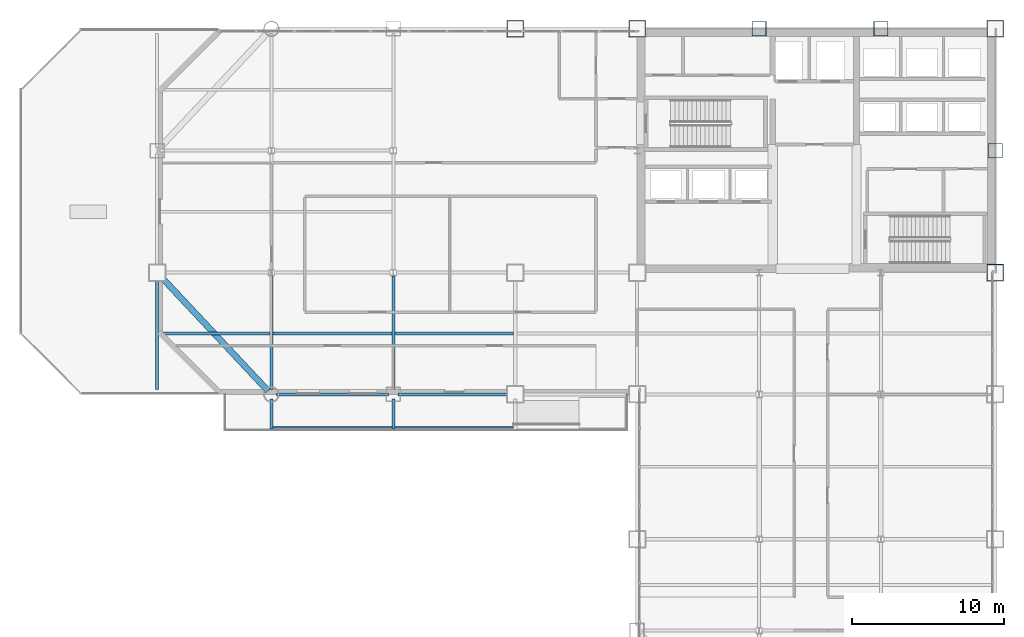
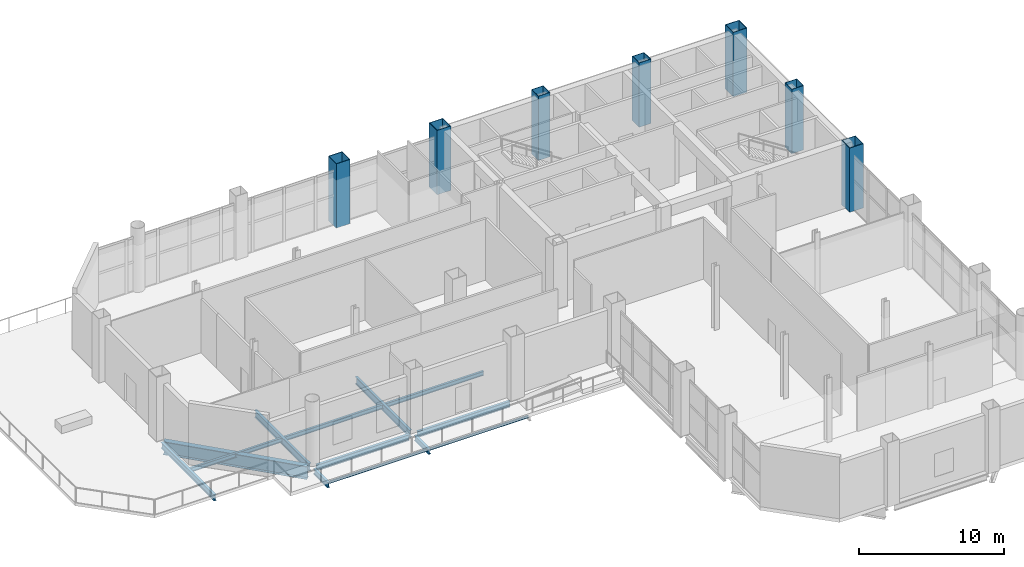
# One storey, part 4 of 22: 13 beams, 7 columns.
"""IFC4 building model written with IfcOpenShell, lengths in metres."""

from ifc_helpers import new_model, si_unit, direction, frame, origin, origin_2d, place, context, subcontext, project, spatial, hollow_rectangle, i_section, extrude, material, material_profile, profile_set, type_object, element, save


model = new_model("IFC4")

# Units and contexts
model_context = context("Model", 3, precision=1e-05, world=origin(), true_north=direction((0.0, 1.0)))
body_context = subcontext(model_context, "Body", "Model", "MODEL_VIEW")
ifc_project = project(units=[si_unit("LENGTHUNIT", "METRE"), si_unit("AREAUNIT", "SQUARE_METRE"), si_unit("VOLUMEUNIT", "CUBIC_METRE"), si_unit("PLANEANGLEUNIT", "RADIAN"), si_unit("MASSUNIT", "GRAM", prefix="KILO")], contexts=[model_context])

# Site, building, storey
site_placement = place(None, origin())
site = spatial("IfcSite", under=ifc_project, at=site_placement, CompositionType="ELEMENT")
building_placement = place(site_placement, origin())
building = spatial("IfcBuilding", under=site, at=building_placement, Name="Qianrong Seaharbour Tower", CompositionType="ELEMENT")
storey_placement = place(building_placement, frame((0.0, 0.0, 113.60009765625)))
storey = spatial("IfcBuildingStorey", under=building, at=storey_placement, Name="L27", CompositionType="ELEMENT", Elevation=113.60009765625)

# Columns
ifc_material_1 = material(Name="Structural steel SN490B", Category="steel")
ifc_material_profile_1 = material_profile(ifc_material_1, hollow_rectangle(XDim=1.10009765625, YDim=1.10009765625, WallThickness=0.0400390625, at=origin_2d()), Name="BOX1100x1100x40")
ifc_profile_set_1 = profile_set([ifc_material_profile_1], Name="Structural steel SN490B")
column_type_1 = type_object("IfcColumnType", Name="COL-CFT-1100", PredefinedType="COLUMN", material=ifc_profile_set_1)
for number, where, z_axis, x_axis, name in (
    (1, (32.5, 52.0, 0.0), (0.0, 0.0, 1.0), (1.0, 0.0, 0.0), "L27 Column MC-3 at G5/GH"),
    (2, (40.5, 52.0, 0.0), (0.0, 0.0, 1.0), (1.0, 0.0, 0.0), "L27 Column MC-3 at G6/GH"),
    (3, (64.0, 36.0, 0.0), (0.0, 0.0, 1.0), (1.0, 0.0, 0.0), "L27 Column MC-3 at G9/GF"),
    (4, (64.0, 52.0, 0.0), (0.0, 0.0, 1.0), (1.0, 0.0, 0.0), "L27 Column MC-3 at G9/GH"),
):
    element("IfcColumn", number, at=place(storey_placement, frame(where, z_axis=z_axis, x_axis=x_axis)), inside=storey, type_object=column_type_1, Name=name, PredefinedType="COLUMN", context=body_context, shape_type="SweptSolid", body=[
        extrude(hollow_rectangle(XDim=1.10009765625, YDim=1.10009765625, WallThickness=0.0400390625, at=origin_2d()), origin(), (0.0, 0.0, 1.0), 5.39990234375),
    ])
ifc_material_profile_2 = material_profile(ifc_material_1, hollow_rectangle(XDim=0.949951171875, YDim=0.949951171875, WallThickness=0.035888671875, at=origin_2d()), Name="BOX950x950x36")
ifc_profile_set_2 = profile_set([ifc_material_profile_2], Name="Structural steel SN490B")
column_type_2 = type_object("IfcColumnType", Name="COL-PER-950", PredefinedType="COLUMN", material=ifc_profile_set_2)
for number, where, z_axis, x_axis, name in (
    (5, (48.5, 52.0, 0.0), (0.0, 0.0, 1.0), (1.0, 0.0, 0.0), "L27 Column PC-2 at G7/GH"),
    (6, (56.5, 52.0, 0.0), (0.0, 0.0, 1.0), (1.0, 0.0, 0.0), "L27 Column PC-2 at G8/GH"),
    (7, (64.0, 44.0, 0.0), (0.0, 0.0, 1.0), (1.0, 0.0, 0.0), "L27 Column PC-2 at G9/GG"),
):
    element("IfcColumn", number, at=place(storey_placement, frame(where, z_axis=z_axis, x_axis=x_axis)), inside=storey, type_object=column_type_2, Name=name, PredefinedType="COLUMN", context=body_context, shape_type="SweptSolid", body=[
        extrude(hollow_rectangle(XDim=0.949951171875, YDim=0.949951171875, WallThickness=0.035888671875, at=origin_2d()), origin(), (0.0, 0.0, 1.0), 5.39990234375),
    ])

# Beams
ifc_material_profile_3 = material_profile(ifc_material_1, i_section(OverallWidth=0.199951171875, OverallDepth=0.60009765625, WebThickness=0.010986328125, FlangeThickness=0.01708984375, FilletRadius=0.02197265625, at=origin_2d()), Name="H600x200x11x17")
ifc_profile_set_3 = profile_set([ifc_material_profile_3], Name="Structural steel SN490B")
beam_type_1 = type_object("IfcBeamType", Name="BM-G-600", PredefinedType="BEAM", material=ifc_profile_set_3)
for number, where, z_axis, x_axis, name in (
    (8, (16.5, 28.320068359375, -0.60009765625), (0.0, 1.0, 0.0), (-1.0, 0.0, 0.0), "L27 Primary Girder G3 GE-GF"),
    (9, (24.5, 28.320068359375, -0.60009765625), (0.0, 1.0, 0.0), (-1.0, 0.0, 0.0), "L27 Primary Girder G4 GE-GF"),
):
    element("IfcBeam", number, at=place(storey_placement, frame(where, z_axis=z_axis, x_axis=x_axis)), inside=storey, type_object=beam_type_1, Name=name, PredefinedType="BEAM", context=body_context, shape_type="SweptSolid", body=[
        extrude(i_section(OverallWidth=0.199951171875, OverallDepth=0.60009765625, WebThickness=0.010986328125, FlangeThickness=0.01708984375, FilletRadius=0.02197265625, at=origin_2d()), origin(), (0.0, 0.0, 1.0), 7.4658203125),
    ])
ifc_material_2 = material(Name="Structural steel SN400B", Category="steel")
ifc_material_profile_4 = material_profile(ifc_material_2, i_section(OverallWidth=0.175048828125, OverallDepth=0.35009765625, WebThickness=0.007080078125, FlangeThickness=0.010986328125, FilletRadius=0.013916015625, at=origin_2d()), Name="H350x175x7x11")
ifc_profile_set_4 = profile_set([ifc_material_profile_4], Name="Structural steel SN400B")
beam_type_2 = type_object("IfcBeamType", Name="BM-J-350", PredefinedType="JOIST", material=ifc_profile_set_4)
beam_1_placement = place(storey_placement, frame((9.10009765625, 32.0, -0.47509765625), z_axis=(1.0, 0.0, 0.0), x_axis=(0.0, 1.0, 0.0)))
element("IfcBeam", 10, at=beam_1_placement, inside=storey, type_object=beam_type_2, Name="L27 Composite Floor Joist G2-G3/GE-GF", PredefinedType="JOIST", context=body_context, shape_type="SweptSolid", body=[
    extrude(i_section(OverallWidth=0.175048828125, OverallDepth=0.35009765625, WebThickness=0.007080078125, FlangeThickness=0.010986328125, FilletRadius=0.013916015625, at=origin_2d()), origin(), (0.0, 0.0, 1.0), 7.2998046875),
])
for number, where, z_axis, x_axis, name in (
    (11, (16.60009765625, 32.0, -0.47509765625), (1.0, 0.0, 0.0), (0.0, 1.0, 0.0), "L27 Composite Floor Joist G3-G4/GE-GF"),
    (12, (24.60009765625, 32.0, -0.47509765625), (1.0, 0.0, 0.0), (0.0, 1.0, 0.0), "L27 Composite Floor Joist G4-G5/GE-GF"),
):
    element("IfcBeam", number, at=place(storey_placement, frame(where, z_axis=z_axis, x_axis=x_axis)), inside=storey, type_object=beam_type_2, Name=name, PredefinedType="JOIST", context=body_context, shape_type="SweptSolid", body=[
        extrude(i_section(OverallWidth=0.175048828125, OverallDepth=0.35009765625, WebThickness=0.007080078125, FlangeThickness=0.010986328125, FilletRadius=0.013916015625, at=origin_2d()), origin(), (0.0, 0.0, 1.0), 7.7998046875),
    ])
ifc_material_profile_5 = material_profile(ifc_material_2, i_section(OverallWidth=0.10009765625, OverallDepth=0.199951171875, WebThickness=0.005615234375, FlangeThickness=0.008056640625, FilletRadius=0.010986328125, at=origin_2d()), Name="H200x100x5.5x8")
ifc_profile_set_5 = profile_set([ifc_material_profile_5], Name="Structural steel SN400B")
beam_type_3 = type_object("IfcBeamType", Name="BM-PURLIN-200", PredefinedType="JOIST", material=ifc_profile_set_5)
for number, where, z_axis, x_axis, name in (
    (13, (16.60009765625, 25.840087890625, -0.400146484375), (1.0, 0.0, 0.0), (0.0, 1.0, 0.0), "L27 Harbourfront Ribbon Edge Beam G4"),
    (14, (24.60009765625, 25.840087890625, -0.400146484375), (1.0, 0.0, 0.0), (0.0, 1.0, 0.0), "L27 Harbourfront Ribbon Edge Beam G5"),
):
    element("IfcBeam", number, at=place(storey_placement, frame(where, z_axis=z_axis, x_axis=x_axis)), inside=storey, type_object=beam_type_3, Name=name, PredefinedType="JOIST", context=body_context, shape_type="SweptSolid", body=[
        extrude(i_section(OverallWidth=0.10009765625, OverallDepth=0.199951171875, WebThickness=0.005615234375, FlangeThickness=0.008056640625, FilletRadius=0.010986328125, at=origin_2d()), origin(), (0.0, 0.0, 1.0), 7.7998046875),
    ])
ifc_material_profile_6 = material_profile(ifc_material_1, i_section(OverallWidth=0.199951171875, OverallDepth=0.449951171875, WebThickness=0.009033203125, FlangeThickness=0.013916015625, FilletRadius=0.01806640625, at=origin_2d()), Name="H450x200x9x14")
ifc_profile_set_6 = profile_set([ifc_material_profile_6], Name="Structural steel SN490B")
beam_type_4 = type_object("IfcBeamType", Name="BM-RIB-450", PredefinedType="BEAM", material=ifc_profile_set_6)
for number, where, z_axis, x_axis, name in (
    (15, (16.5, 27.699951171875, -0.525146484375), (0.0, -1.0, 0.0), (1.0, 0.0, 0.0), "L27 Harbourfront Ribbon Cantilever Bracket G3"),
    (16, (24.5, 27.699951171875, -0.525146484375), (0.0, -1.0, 0.0), (1.0, 0.0, 0.0), "L27 Harbourfront Ribbon Cantilever Bracket G4"),
):
    element("IfcBeam", number, at=place(storey_placement, frame(where, z_axis=z_axis, x_axis=x_axis)), inside=storey, type_object=beam_type_4, Name=name, PredefinedType="BEAM", context=body_context, shape_type="SweptSolid", body=[
        extrude(i_section(OverallWidth=0.199951171875, OverallDepth=0.449951171875, WebThickness=0.009033203125, FlangeThickness=0.013916015625, FilletRadius=0.01806640625, at=origin_2d()), origin(), (0.0, 0.0, 1.0), 1.97998046875),
    ])
ifc_material_profile_7 = material_profile(ifc_material_1, i_section(OverallWidth=0.199951171875, OverallDepth=0.5, WebThickness=0.010009765625, FlangeThickness=0.01611328125, FilletRadius=0.02001953125, at=origin_2d()), Name="H500x200x10x16")
ifc_profile_set_7 = profile_set([ifc_material_profile_7], Name="Structural steel SN490B")
beam_type_5 = type_object("IfcBeamType", Name="BM-SP-500", PredefinedType="SPANDREL", material=ifc_profile_set_7)
for number, where, z_axis, x_axis, name in (
    (17, (16.820068359375, 28.0, -0.550048828125), (1.0, 0.0, 0.0), (0.0, 1.0, 0.0), "L27 Spandrel Girder GE G3-G4"),
    (18, (24.820068359375, 28.0, -0.550048828125), (1.0, 0.0, 0.0), (0.0, 1.0, 0.0), "L27 Spandrel Girder GE G4-G5"),
    (19, (9.0, 28.320068359375, -0.550048828125), (0.0, 1.0, 0.0), (-1.0, 0.0, 0.0), "L27 Spandrel Girder G2 GE-GF"),
):
    element("IfcBeam", number, at=place(storey_placement, frame(where, z_axis=z_axis, x_axis=x_axis)), inside=storey, type_object=beam_type_5, Name=name, PredefinedType="SPANDREL", context=body_context, shape_type="SweptSolid", body=[
        extrude(i_section(OverallWidth=0.199951171875, OverallDepth=0.5, WebThickness=0.010009765625, FlangeThickness=0.01611328125, FilletRadius=0.02001953125, at=origin_2d()), origin(), (0.0, 0.0, 1.0), 7.35986328125),
    ])
ifc_material_profile_8 = material_profile(ifc_material_1, i_section(OverallWidth=0.39990234375, OverallDepth=1.10009765625, WebThickness=0.02001953125, FlangeThickness=0.035888671875, at=origin_2d()), Name="BH1100x400x20x36")
ifc_profile_set_8 = profile_set([ifc_material_profile_8], Name="Structural steel SN490B")
beam_type_6 = type_object("IfcBeamType", Name="BM-TG-1100", PredefinedType="BEAM", material=ifc_profile_set_8)
beam_2_placement = place(storey_placement, frame((16.28125, 28.2333984375, -0.85009765625), z_axis=(-0.683947420573, 0.729531305628, 0.0), x_axis=(-0.729531305628, -0.683947420573, 0.0)))
element("IfcBeam", 20, at=beam_2_placement, inside=storey, type_object=beam_type_6, Name="L27 Chamfer Corner Spandrel Girder G2/GE", PredefinedType="BEAM", context=body_context, shape_type="SweptSolid", body=[
    extrude(i_section(OverallWidth=0.39990234375, OverallDepth=1.10009765625, WebThickness=0.02001953125, FlangeThickness=0.035888671875, at=origin_2d()), origin(), (0.0, 0.0, 1.0), 10.326171875),
])

save(model, "model.ifc")
